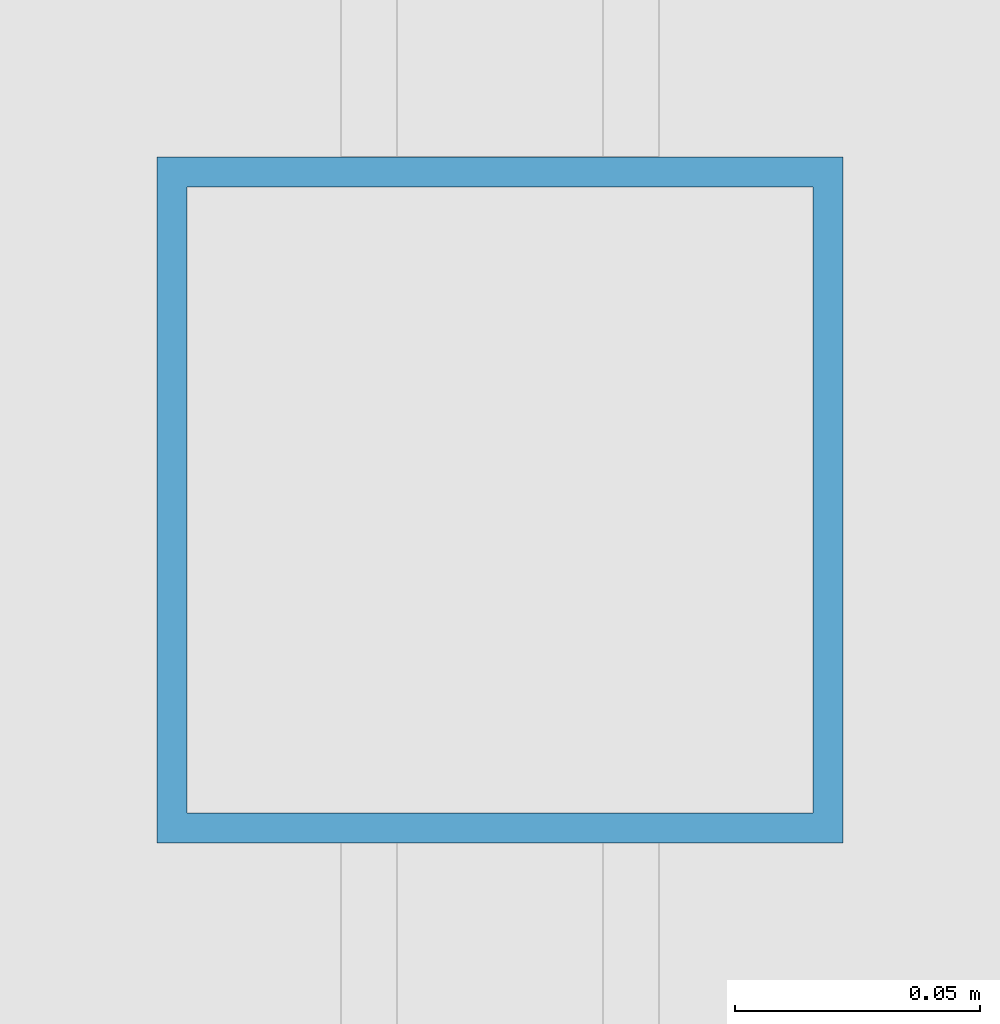
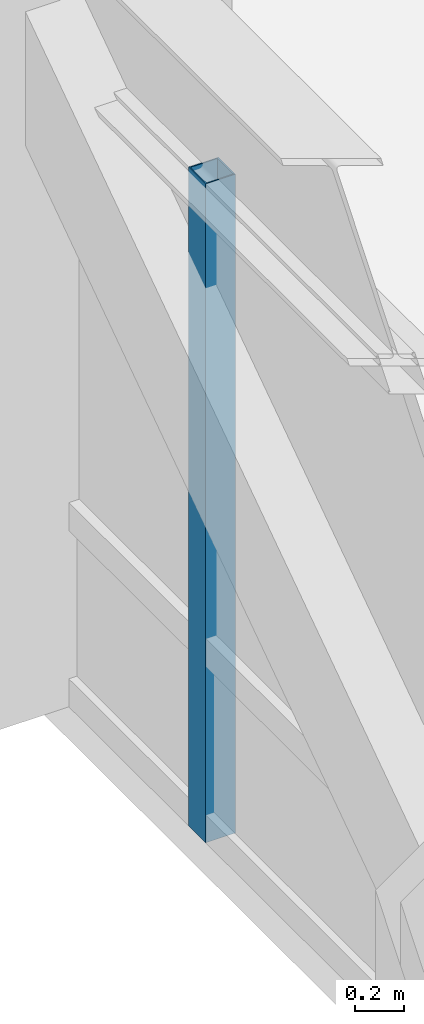
# One storey, part 12 of 31: 1 member, 1 element without a shape of its own.
"""IFC4 building model written with IfcOpenShell, lengths in metres."""

from ifc_helpers import new_model, si_unit, direction, frame, origin, origin_2d, place, context, subcontext, project, spatial, hollow_rectangle, extrude, source, transform, mapped, material, material_profile, profile_set, type_object, element, aggregate, save


model = new_model("IFC4")

# Units and contexts
model_context = context("Model", 3, precision=1e-05, world=origin(), true_north=direction((0.0, 1.0)))
body_context = subcontext(model_context, "Body", "Model", "MODEL_VIEW")
ifc_project = project(units=[si_unit("LENGTHUNIT", "METRE"), si_unit("AREAUNIT", "SQUARE_METRE"), si_unit("VOLUMEUNIT", "CUBIC_METRE"), si_unit("PLANEANGLEUNIT", "RADIAN"), si_unit("MASSUNIT", "GRAM", prefix="KILO")], contexts=[model_context])

# Site, building, storey
site_placement = place(None, origin())
site = spatial("IfcSite", under=ifc_project, at=site_placement, CompositionType="ELEMENT")
building_placement = place(site_placement, origin())
building = spatial("IfcBuilding", under=site, at=building_placement, Name="Khorayat Bourse Tower", CompositionType="ELEMENT")
storey_placement = place(building_placement, frame((0.0, 0.0, 32.60009765625)))
storey = spatial("IfcBuildingStorey", under=building, at=storey_placement, Name="L06", CompositionType="ELEMENT", Elevation=32.60009765625)

# Curtain wall, member
ifc_material = material(Name="Aluminium EN AW-6063 T6", Category="aluminium")
curtain_wall_type = type_object("IfcCurtainWallType", Name="CW-SYS-02", PredefinedType="NOTDEFINED", material=ifc_material)
curtain_wall_placement = place(storey_placement, origin())
curtain_wall = element("IfcCurtainWall", 1, at=curtain_wall_placement, inside=storey, type_object=curtain_wall_type, Name="L06 Curtain Wall CW-L06-W1", PredefinedType="NOTDEFINED")
ifc_material_profile = material_profile(ifc_material, hollow_rectangle(XDim=0.139892578125, YDim=0.139892578125, WallThickness=0.006103515625, at=origin_2d()), Name="ALU 140x140x6")
ifc_profile_set = profile_set([ifc_material_profile], Name="Aluminium EN AW-6063 T6")
member_type = type_object("IfcMemberType", Name="CWM-VERT-140", PredefinedType="MULLION", material=ifc_profile_set)
shared_shape = source(origin(), body_context, "Body", "SweptSolid", [
    extrude(hollow_rectangle(XDim=0.139892578125, YDim=0.139892578125, WallThickness=0.006103515625, at=origin_2d()), origin(), (0.0, 0.0, 1.0), 3.289794921875),
])
member_placement = place(storey_placement, frame((-32.0, 9.25, 0.0), z_axis=(0.0, 0.0, 1.0), x_axis=(-1.0, 0.0, 0.0)))
member = element("IfcMember", 2, at=member_placement, type_object=member_type, Name="CW-L06-W1 Vertical Mullion 3", PredefinedType="MULLION", context=body_context, shape_type="MappedRepresentation", body=[
    mapped(shared_shape, transform((0.0, 0.0, 0.0), scale=1.0)),
])
aggregate(curtain_wall, [member])

save(model, "model.ifc")
